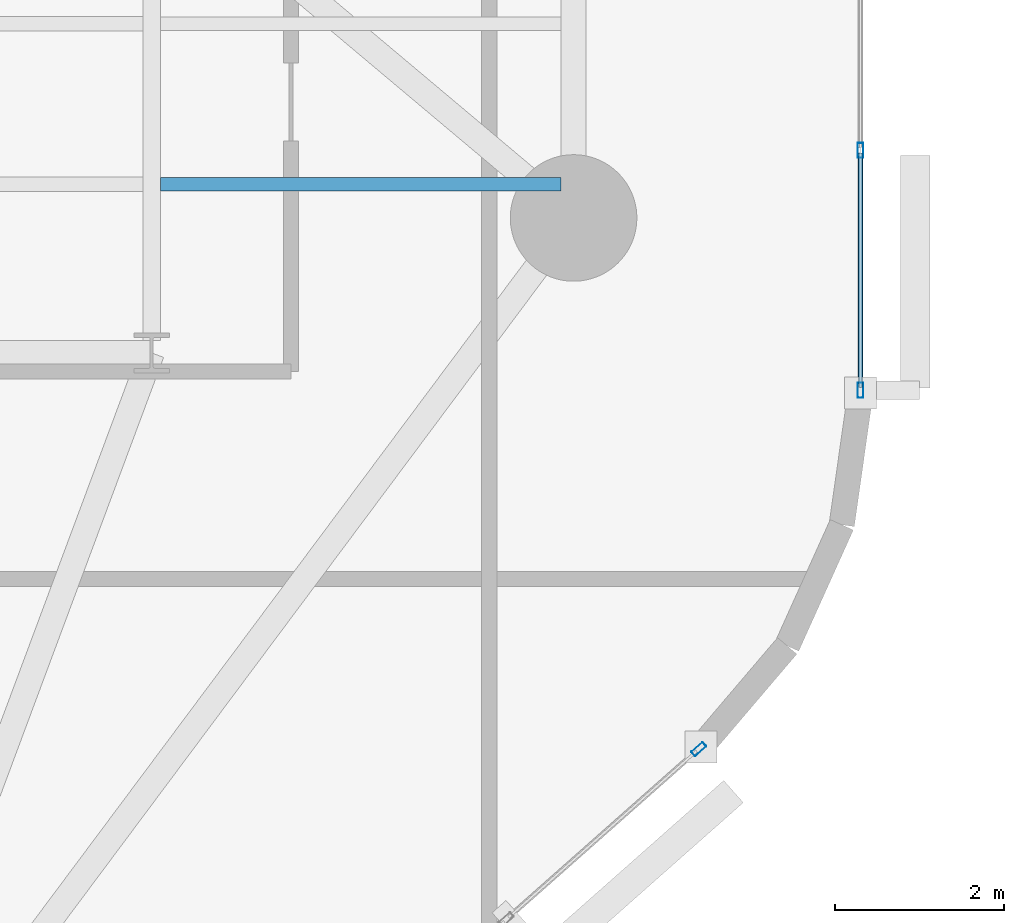
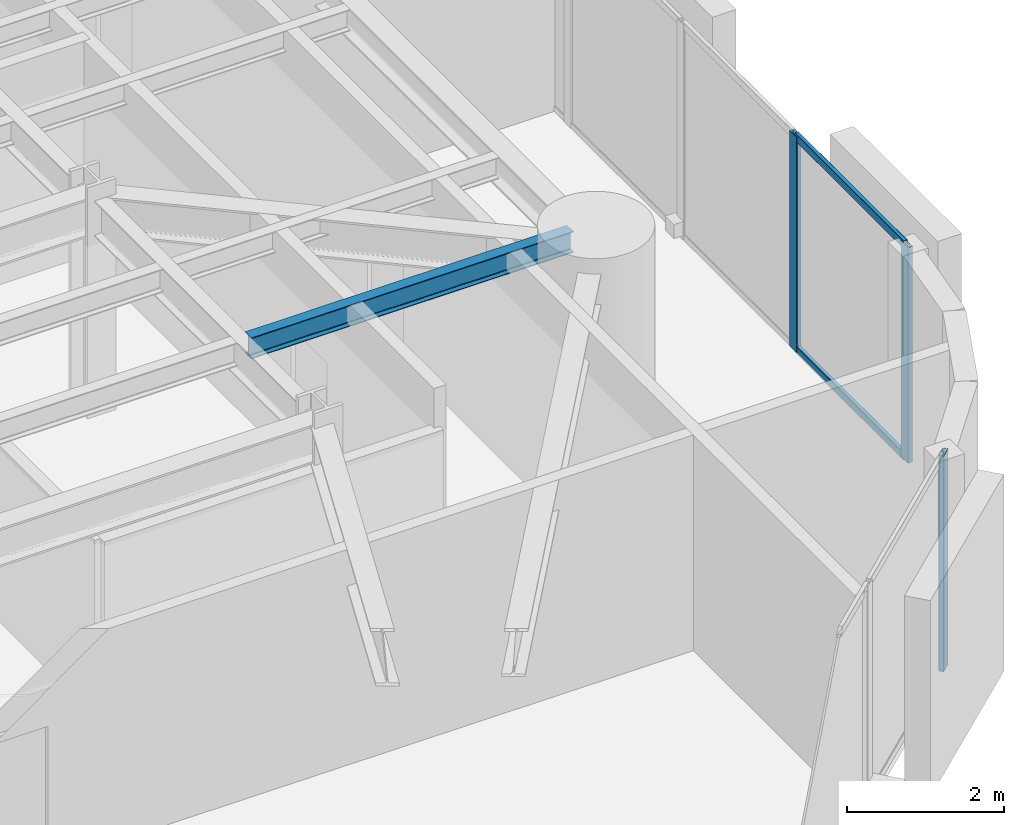
# One storey, part 4 of 16: 5 members, 1 beam, 2 elements without a shape of their own.
"""IFC4 building model written with IfcOpenShell, lengths in metres."""

from ifc_helpers import new_model, si_unit, direction, frame, origin, origin_2d, place, context, subcontext, project, spatial, hollow_rectangle, i_section, extrude, material, layer, layer_set, material_profile, profile_set, type_object, element, aggregate, save


model = new_model("IFC4")

# Units and contexts
model_context = context("Model", 3, precision=1e-05, world=origin(), true_north=direction((0.0, 1.0)))
body_context = subcontext(model_context, "Body", "Model", "MODEL_VIEW")
ifc_project = project(units=[si_unit("LENGTHUNIT", "METRE"), si_unit("AREAUNIT", "SQUARE_METRE"), si_unit("VOLUMEUNIT", "CUBIC_METRE"), si_unit("PLANEANGLEUNIT", "RADIAN"), si_unit("MASSUNIT", "GRAM", prefix="KILO")], contexts=[model_context])

# Site, building, storey
site_placement = place(None, origin())
site = spatial("IfcSite", under=ifc_project, at=site_placement, CompositionType="ELEMENT")
building_placement = place(site_placement, origin())
building = spatial("IfcBuilding", under=site, at=building_placement, Name="An Khanh Terracotta Commons", CompositionType="ELEMENT")
storey_placement = place(building_placement, frame((0.0, 0.0, 72.0)))
storey = spatial("IfcBuildingStorey", under=building, at=storey_placement, Name="L19", CompositionType="ELEMENT", Elevation=72.0)

# Beam
ifc_material_1 = material(Name="Steel S355J2", Category="steel")
ifc_material_profile_1 = material_profile(ifc_material_1, i_section(OverallWidth=0.159912109375, OverallDepth=0.330078125, WebThickness=0.007568359375, FlangeThickness=0.011474609375, FilletRadius=0.01806640625, at=origin_2d()), Name="IPE330")
ifc_profile_set_1 = profile_set([ifc_material_profile_1], Name="Steel S355J2")
beam_type = type_object("IfcBeamType", Name="BM-IPE330", PredefinedType="JOIST", material=ifc_profile_set_1)
beam_placement = place(storey_placement, frame((43.304931640625, 16.39990234375, 3.195068359375), z_axis=(1.0, 0.0, 0.0), x_axis=(0.0, 1.0, 0.0)))
element("IfcBeam", 1, at=beam_placement, inside=storey, type_object=beam_type, Name="L19 Riverfront Composite Joist 1", PredefinedType="JOIST", context=body_context, shape_type="SweptSolid", body=[
    extrude(i_section(OverallWidth=0.159912109375, OverallDepth=0.330078125, WebThickness=0.007568359375, FlangeThickness=0.011474609375, FilletRadius=0.01806640625, at=origin_2d()), origin(), (0.0, 0.0, 1.0), 4.7451171875),
])

# Curtain wall, member
ifc_material_2 = material(Name="Anodised Aluminium 6063-T6", Category="aluminium")
ifc_layer = layer(ifc_material_2, 0.199951171875, Name="Anodised Aluminium 6063-T6")
ifc_layer_set = layer_set([ifc_layer], Name="Anodised Aluminium 6063-T6")
curtain_wall_type = type_object("IfcCurtainWallType", Name="CW-SYS-02", PredefinedType="USERDEFINED", material=ifc_layer_set)
curtain_wall_1_placement = place(storey_placement, origin())
curtain_wall_1 = element("IfcCurtainWall", 2, at=curtain_wall_1_placement, inside=storey, type_object=curtain_wall_type, Name="L19 CW-02 Unitised Curtain Wall CW-L19-08", ObjectType="UNITISED CURTAIN WALL", PredefinedType="USERDEFINED")
ifc_material_profile_2 = material_profile(ifc_material_2, hollow_rectangle(XDim=0.070068359375, YDim=0.179931640625, WallThickness=0.00390625, InnerFilletRadius=0.00390625, OuterFilletRadius=0.008056640625, at=origin_2d()), Name="RHS180x70x4")
ifc_profile_set_2 = profile_set([ifc_material_profile_2], Name="Anodised Aluminium 6063-T6")
member_type_1 = type_object("IfcMemberType", Name="CWM-RHS180x70x4", PredefinedType="MULLION", material=ifc_profile_set_2)
member_1_placement = place(storey_placement, frame((49.683837890625, 9.704833984375, 0.0), z_axis=(0.0, 0.0, 1.0), x_axis=(-0.662548195415, 0.749019284633, 0.0)))
member_1 = element("IfcMember", 3, at=member_1_placement, type_object=member_type_1, Name="CW-02 mullion 4", PredefinedType="MULLION", context=body_context, shape_type="SweptSolid", body=[
    extrude(hollow_rectangle(XDim=0.070068359375, YDim=0.179931640625, WallThickness=0.00390625, InnerFilletRadius=0.00390625, OuterFilletRadius=0.008056640625, at=origin_2d()), origin(), (0.0, 0.0, 1.0), 3.360107421875),
])
aggregate(curtain_wall_1, [member_1])

# Curtain wall, members
curtain_wall_2_placement = place(storey_placement, origin())
curtain_wall_2 = element("IfcCurtainWall", 4, at=curtain_wall_2_placement, inside=storey, type_object=curtain_wall_type, Name="L19 CW-02 Unitised Curtain Wall CW-L19-12", ObjectType="UNITISED CURTAIN WALL", PredefinedType="USERDEFINED")
member_2_placement = place(storey_placement, frame((51.60009765625, 13.9580078125, 0.0), z_axis=(0.0, 0.0, 1.0), x_axis=(-1.0, 0.0, 0.0)))
member_2 = element("IfcMember", 5, at=member_2_placement, type_object=member_type_1, Name="CW-02 mullion 1", PredefinedType="MULLION", context=body_context, shape_type="SweptSolid", body=[
    extrude(hollow_rectangle(XDim=0.070068359375, YDim=0.179931640625, WallThickness=0.00390625, InnerFilletRadius=0.00390625, OuterFilletRadius=0.008056640625, at=origin_2d()), origin(), (0.0, 0.0, 1.0), 3.360107421875),
])
member_3_placement = place(storey_placement, frame((51.60009765625, 16.80224609375, 0.0), z_axis=(0.0, 0.0, 1.0), x_axis=(-1.0, 0.0, 0.0)))
member_3 = element("IfcMember", 6, at=member_3_placement, type_object=member_type_1, Name="CW-02 mullion 2", PredefinedType="MULLION", context=body_context, shape_type="SweptSolid", body=[
    extrude(hollow_rectangle(XDim=0.070068359375, YDim=0.179931640625, WallThickness=0.00390625, InnerFilletRadius=0.00390625, OuterFilletRadius=0.008056640625, at=origin_2d()), origin(), (0.0, 0.0, 1.0), 3.360107421875),
])
ifc_material_profile_3 = material_profile(ifc_material_2, hollow_rectangle(XDim=0.06005859375, YDim=0.1201171875, WallThickness=0.003662109375, InnerFilletRadius=0.003662109375, OuterFilletRadius=0.007080078125, at=origin_2d()), Name="RHS120x60x3.6")
ifc_profile_set_3 = profile_set([ifc_material_profile_3], Name="Anodised Aluminium 6063-T6")
member_type_2 = type_object("IfcMemberType", Name="CWT-RHS120x60x3.6", PredefinedType="USERDEFINED", material=ifc_profile_set_3)
member_4_placement = place(storey_placement, frame((51.60009765625, 13.992919921875, 0.030029296875), z_axis=(0.0, 1.0, 0.0), x_axis=(-1.0, 0.0, 0.0)))
member_4 = element("IfcMember", 7, at=member_4_placement, type_object=member_type_2, Name="CW-02 transom 1.1", ObjectType="TRANSOM", PredefinedType="USERDEFINED", context=body_context, shape_type="SweptSolid", body=[
    extrude(hollow_rectangle(XDim=0.06005859375, YDim=0.1201171875, WallThickness=0.003662109375, InnerFilletRadius=0.003662109375, OuterFilletRadius=0.007080078125, at=origin_2d()), origin(), (0.0, 0.0, 1.0), 2.774169921875),
])
member_5_placement = place(storey_placement, frame((51.60009765625, 13.992919921875, 3.330078125), z_axis=(0.0, 1.0, 0.0), x_axis=(-1.0, 0.0, 0.0)))
member_5 = element("IfcMember", 8, at=member_5_placement, type_object=member_type_2, Name="CW-02 transom 1.2", ObjectType="TRANSOM", PredefinedType="USERDEFINED", context=body_context, shape_type="SweptSolid", body=[
    extrude(hollow_rectangle(XDim=0.06005859375, YDim=0.1201171875, WallThickness=0.003662109375, InnerFilletRadius=0.003662109375, OuterFilletRadius=0.007080078125, at=origin_2d()), origin(), (0.0, 0.0, 1.0), 2.774169921875),
])
aggregate(curtain_wall_2, [member_2, member_3, member_4, member_5])

save(model, "model.ifc")
